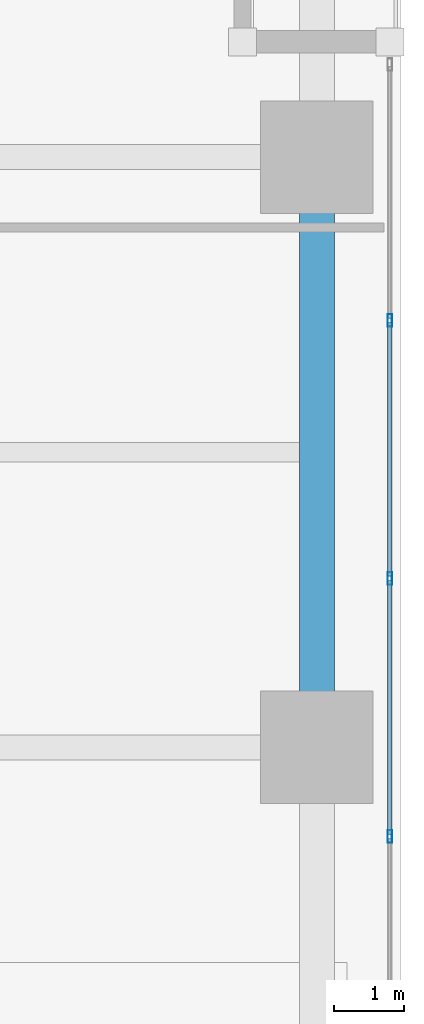
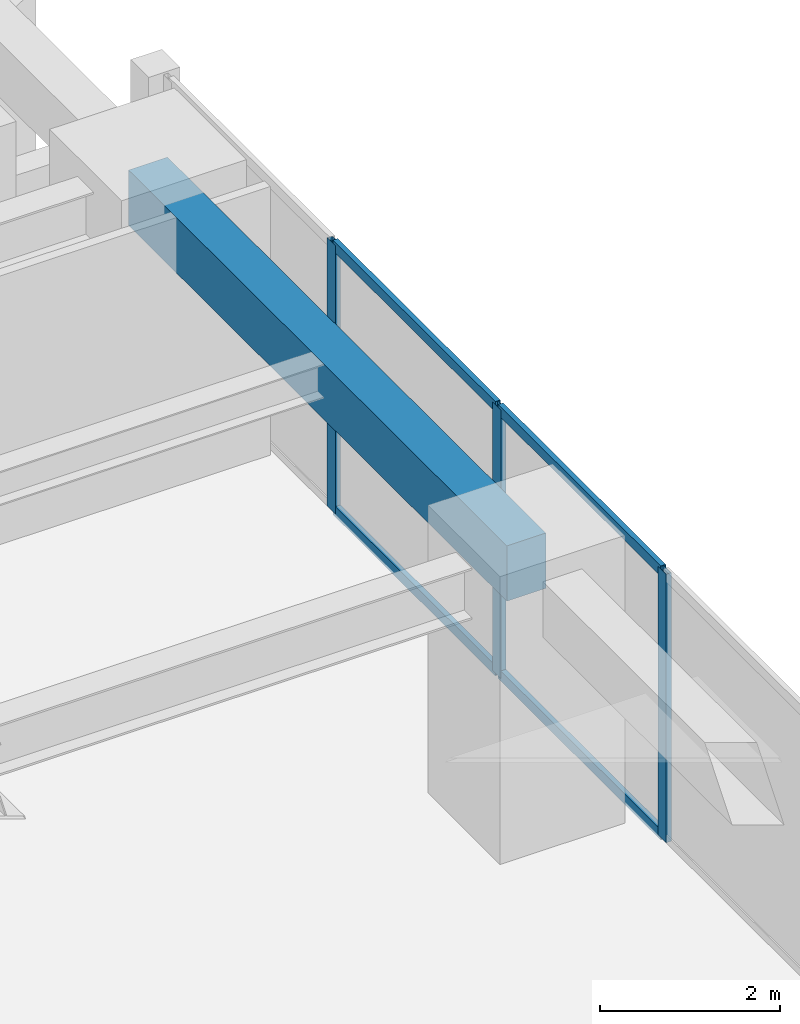
# One storey, part 8 of 29: 7 members, 1 beam, 1 element without a shape of its own.
"""IFC4 building model written with IfcOpenShell, lengths in metres."""

from ifc_helpers import new_model, si_unit, direction, frame, origin, origin_2d, place, context, subcontext, project, spatial, rectangle, hollow_rectangle, extrude, material, layer, layer_set, material_profile, profile_set, type_object, element, aggregate, save


model = new_model("IFC4")

# Units and contexts
model_context = context("Model", 3, precision=1e-05, world=origin(), true_north=direction((0.0, 1.0)))
body_context = subcontext(model_context, "Body", "Model", "MODEL_VIEW")
ifc_project = project(units=[si_unit("LENGTHUNIT", "METRE"), si_unit("AREAUNIT", "SQUARE_METRE"), si_unit("VOLUMEUNIT", "CUBIC_METRE"), si_unit("PLANEANGLEUNIT", "RADIAN"), si_unit("MASSUNIT", "GRAM", prefix="KILO")], contexts=[model_context])

# Site, building, storey
site_placement = place(None, origin())
site = spatial("IfcSite", under=ifc_project, at=site_placement, CompositionType="ELEMENT")
building_placement = place(site_placement, origin())
building = spatial("IfcBuilding", under=site, at=building_placement, Name="Kiyonajd Concourse Tower", CompositionType="ELEMENT")
storey_placement = place(building_placement, frame((0.0, 0.0, 52.800048828125)))
storey = spatial("IfcBuildingStorey", under=building, at=storey_placement, Name="L14", CompositionType="ELEMENT", Elevation=52.800048828125)

# Beam
ifc_material_1 = material(Name="Precast concrete C50/60", Category="concrete")
ifc_material_profile_1 = material_profile(ifc_material_1, rectangle(XDim=0.5, YDim=0.75, at=origin_2d()), Name="RCBM-500x750")
ifc_profile_set_1 = profile_set([ifc_material_profile_1], Name="Precast concrete C50/60")
beam_type = type_object("IfcBeamType", Name="BM-SPAN-RC", PredefinedType="SPANDREL", material=ifc_profile_set_1)
beam_placement = place(storey_placement, frame((78.0, 27.60009765625, 3.264892578125), z_axis=(0.0, 1.0, 0.0), x_axis=(-1.0, 0.0, 0.0)))
element("IfcBeam", 1, at=beam_placement, inside=storey, type_object=beam_type, Name="L14 Perimeter Bundled Tube Spandrel", PredefinedType="SPANDREL", context=body_context, shape_type="SweptSolid", body=[
    extrude(rectangle(XDim=0.5, YDim=0.75, at=origin_2d()), origin(), (0.0, 0.0, 1.0), 8.39990234375),
])

# Curtain wall, members
ifc_material_2 = material(Name="Thermally Broken Anodised Aluminium", Category="aluminium")
ifc_layer = layer(ifc_material_2, 0.179931640625)
ifc_layer_set = layer_set([ifc_layer], Name="Thermally Broken Anodised Aluminium")
curtain_wall_type = type_object("IfcCurtainWallType", Name="CW-SYS-02", PredefinedType="NOTDEFINED", material=ifc_layer_set)
curtain_wall_placement = place(storey_placement, origin())
curtain_wall = element("IfcCurtainWall", 2, at=curtain_wall_placement, inside=storey, type_object=curtain_wall_type, Name="L14 Unitised Curtain Wall CW2", PredefinedType="NOTDEFINED")
ifc_material_profile_2 = material_profile(ifc_material_2, hollow_rectangle(XDim=0.06494140625, YDim=0.179931640625, WallThickness=0.00390625, at=origin_2d()), Name="MULL-65x180")
ifc_profile_set_2 = profile_set([ifc_material_profile_2], Name="Thermally Broken Anodised Aluminium")
member_type_1 = type_object("IfcMemberType", Name="MB-CW-MULL1", PredefinedType="MULLION", material=ifc_profile_set_2)
member_1_placement = place(storey_placement, frame((79.0400390625, 33.6767578125, 0.0), z_axis=(0.0, 0.0, 1.0), x_axis=(1.0, 0.0, 0.0)))
member_1 = element("IfcMember", 3, at=member_1_placement, type_object=member_type_1, Name="CW2 mullion 2", PredefinedType="MULLION", context=body_context, shape_type="SweptSolid", body=[
    extrude(hollow_rectangle(XDim=0.06494140625, YDim=0.179931640625, WallThickness=0.00390625, at=origin_2d()), origin(), (0.0, 0.0, 1.0), 3.639892578125),
])
member_2_placement = place(storey_placement, frame((79.0400390625, 30.003662109375, 0.0), z_axis=(0.0, 0.0, 1.0), x_axis=(1.0, 0.0, 0.0)))
member_2 = element("IfcMember", 4, at=member_2_placement, type_object=member_type_1, Name="CW2 mullion 3", PredefinedType="MULLION", context=body_context, shape_type="SweptSolid", body=[
    extrude(hollow_rectangle(XDim=0.06494140625, YDim=0.179931640625, WallThickness=0.00390625, at=origin_2d()), origin(), (0.0, 0.0, 1.0), 3.639892578125),
])
member_3_placement = place(storey_placement, frame((79.0400390625, 26.33056640625, 0.0), z_axis=(0.0, 0.0, 1.0), x_axis=(1.0, 0.0, 0.0)))
member_3 = element("IfcMember", 5, at=member_3_placement, type_object=member_type_1, Name="CW2 mullion 4", PredefinedType="MULLION", context=body_context, shape_type="SweptSolid", body=[
    extrude(hollow_rectangle(XDim=0.06494140625, YDim=0.179931640625, WallThickness=0.00390625, at=origin_2d()), origin(), (0.0, 0.0, 1.0), 3.639892578125),
])
ifc_material_profile_3 = material_profile(ifc_material_2, hollow_rectangle(XDim=0.06494140625, YDim=0.139892578125, WallThickness=0.00390625, at=origin_2d()), Name="TRAN-65x140")
ifc_profile_set_3 = profile_set([ifc_material_profile_3], Name="Thermally Broken Anodised Aluminium")
member_type_2 = type_object("IfcMemberType", Name="MB-CW-TRAN1", PredefinedType="USERDEFINED", material=ifc_profile_set_3)
member_4_placement = place(storey_placement, frame((79.0400390625, 33.644287109375, 0.032470703125), z_axis=(0.0, -1.0, 0.0), x_axis=(1.0, 0.0, 0.0)))
member_4 = element("IfcMember", 6, at=member_4_placement, type_object=member_type_2, Name="CW2 transom 2.1", ObjectType="TRANSOM", PredefinedType="USERDEFINED", context=body_context, shape_type="SweptSolid", body=[
    extrude(hollow_rectangle(XDim=0.06494140625, YDim=0.139892578125, WallThickness=0.00390625, at=origin_2d()), origin(), (0.0, 0.0, 1.0), 3.608154296875),
])
member_5_placement = place(storey_placement, frame((79.0400390625, 33.644287109375, 3.607421875), z_axis=(0.0, -1.0, 0.0), x_axis=(1.0, 0.0, 0.0)))
member_5 = element("IfcMember", 7, at=member_5_placement, type_object=member_type_2, Name="CW2 transom 2.2", ObjectType="TRANSOM", PredefinedType="USERDEFINED", context=body_context, shape_type="SweptSolid", body=[
    extrude(hollow_rectangle(XDim=0.06494140625, YDim=0.139892578125, WallThickness=0.00390625, at=origin_2d()), origin(), (0.0, 0.0, 1.0), 3.608154296875),
])
member_6_placement = place(storey_placement, frame((79.0400390625, 29.97119140625, 0.032470703125), z_axis=(0.0, -1.0, 0.0), x_axis=(1.0, 0.0, 0.0)))
member_6 = element("IfcMember", 8, at=member_6_placement, type_object=member_type_2, Name="CW2 transom 3.1", ObjectType="TRANSOM", PredefinedType="USERDEFINED", context=body_context, shape_type="SweptSolid", body=[
    extrude(hollow_rectangle(XDim=0.06494140625, YDim=0.139892578125, WallThickness=0.00390625, at=origin_2d()), origin(), (0.0, 0.0, 1.0), 3.608154296875),
])
member_7_placement = place(storey_placement, frame((79.0400390625, 29.97119140625, 3.607421875), z_axis=(0.0, -1.0, 0.0), x_axis=(1.0, 0.0, 0.0)))
member_7 = element("IfcMember", 9, at=member_7_placement, type_object=member_type_2, Name="CW2 transom 3.2", ObjectType="TRANSOM", PredefinedType="USERDEFINED", context=body_context, shape_type="SweptSolid", body=[
    extrude(hollow_rectangle(XDim=0.06494140625, YDim=0.139892578125, WallThickness=0.00390625, at=origin_2d()), origin(), (0.0, 0.0, 1.0), 3.608154296875),
])
aggregate(curtain_wall, [member_1, member_2, member_3, member_4, member_5, member_6, member_7])

save(model, "model.ifc")
